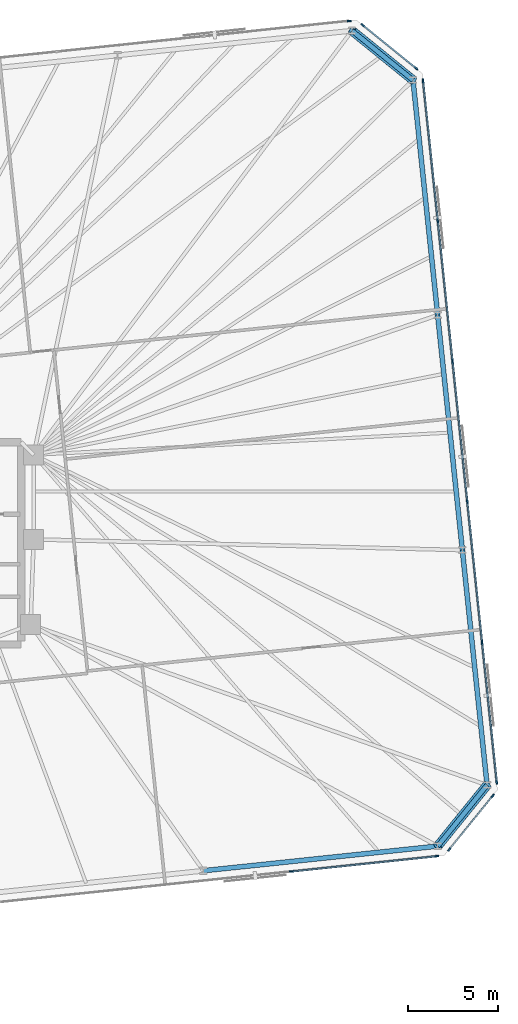
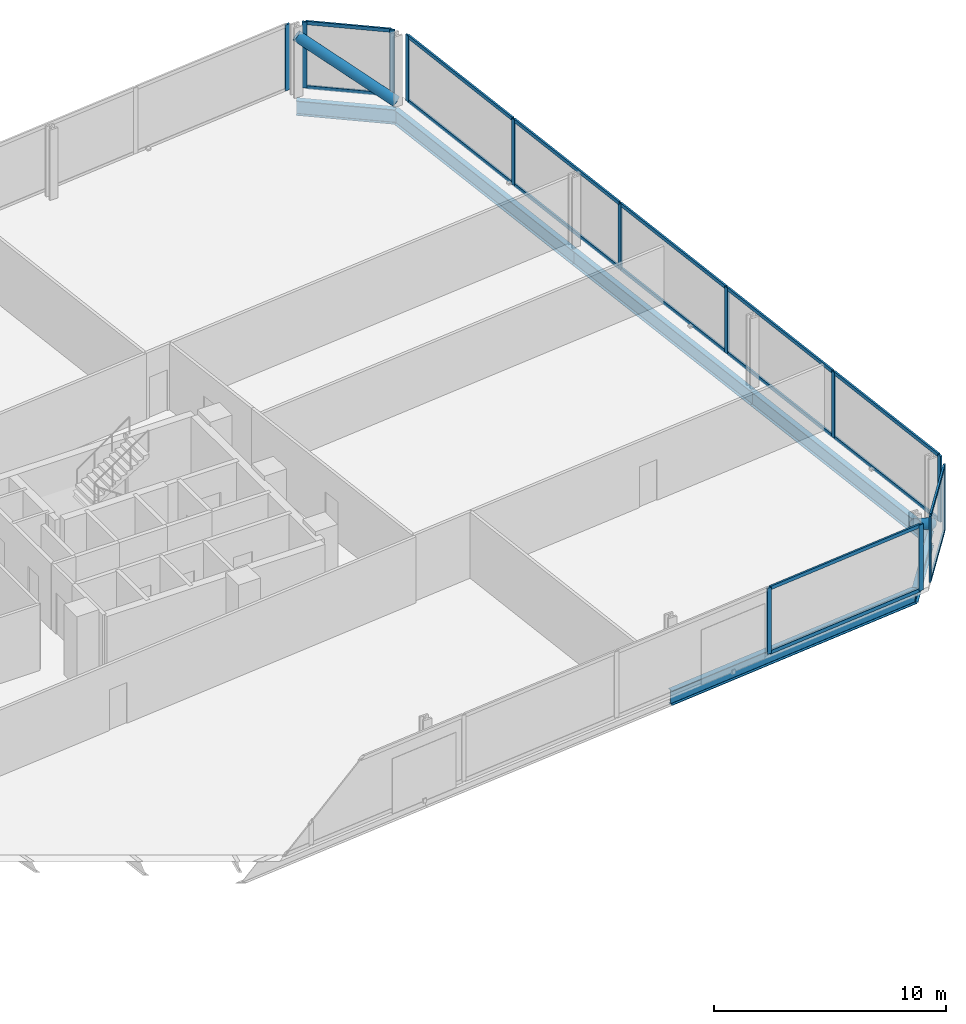
# One storey, part 12 of 18: 31 members, 6 beams, 5 elements without a shape of their own.
"""IFC4 building model written with IfcOpenShell, lengths in metres."""

from ifc_helpers import new_model, si_unit, direction, frame, origin, origin_2d, place, context, subcontext, project, spatial, rectangle, hollow_circle, i_section, extrude, material, material_profile, profile_set, type_object, element, aggregate, save


model = new_model("IFC4")

# Units and contexts
model_context = context("Model", 3, precision=1e-05, world=origin(), true_north=direction((0.0, 1.0)))
body_context = subcontext(model_context, "Body", "Model", "MODEL_VIEW")
ifc_project = project(units=[si_unit("LENGTHUNIT", "METRE"), si_unit("AREAUNIT", "SQUARE_METRE"), si_unit("VOLUMEUNIT", "CUBIC_METRE"), si_unit("PLANEANGLEUNIT", "RADIAN"), si_unit("MASSUNIT", "GRAM", prefix="KILO")], contexts=[model_context])

# Site, building, storey
site_placement = place(None, origin())
site = spatial("IfcSite", under=ifc_project, at=site_placement, CompositionType="ELEMENT")
building_placement = place(site_placement, origin())
building = spatial("IfcBuilding", under=site, at=building_placement, Name="Menara Jurai Vektor", CompositionType="ELEMENT")
storey_placement = place(building_placement, frame((0.0, 0.0, 91.10009765625)))
storey = spatial("IfcBuildingStorey", under=building, at=storey_placement, Name="L22", CompositionType="ELEMENT", Elevation=91.10009765625)

# Curtain wall, members
ifc_material_1 = material(Name="Anodised Pale Aluminium & Low-E Double Glazing", Category="aluminium")
curtain_wall_type = type_object("IfcCurtainWallType", Name="CW-BLK2", PredefinedType="NOTDEFINED", material=ifc_material_1)
curtain_wall_1_placement = place(storey_placement, origin())
curtain_wall_1 = element("IfcCurtainWall", 1, at=curtain_wall_1_placement, inside=storey, type_object=curtain_wall_type, Name="Unitised Curtain Wall L22 F01", PredefinedType="NOTDEFINED")
ifc_material_2 = material(Name="Anodised Pale Aluminium Mullion", Category="aluminium")
ifc_material_profile_1 = material_profile(ifc_material_2, rectangle(XDim=0.090087890625, YDim=0.219970703125, at=origin_2d()), Name="ALU MUL 90x220")
ifc_profile_set_1 = profile_set([ifc_material_profile_1], Name="Anodised Pale Aluminium Mullion")
member_type_1 = type_object("IfcMemberType", Name="CW-BLK2-MUL", PredefinedType="MULLION", material=ifc_profile_set_1)
member_1_placement = place(storey_placement, frame((29.52392578125, -18.169189453125, 0.0), z_axis=(0.0, 0.0, 1.0), x_axis=(-0.104528634935, 0.994521877325, 0.0)))
member_1 = element("IfcMember", 2, at=member_1_placement, type_object=member_type_1, Name="CW-02 mullion 8", PredefinedType="MULLION", context=body_context, shape_type="SweptSolid", body=[
    extrude(rectangle(XDim=0.090087890625, YDim=0.219970703125, at=origin_2d()), origin(), (0.0, 0.0, 1.0), 3.474853515625),
])
member_2_placement = place(storey_placement, frame((37.5771484375, -17.32275390625, 0.0), z_axis=(0.0, 0.0, 1.0), x_axis=(-0.104528634935, 0.994521877325, 0.0)))
member_2 = element("IfcMember", 3, at=member_2_placement, type_object=member_type_1, Name="CW-02 mullion 9", PredefinedType="MULLION", context=body_context, shape_type="SweptSolid", body=[
    extrude(rectangle(XDim=0.090087890625, YDim=0.219970703125, at=origin_2d()), origin(), (0.0, 0.0, 1.0), 3.474853515625),
])

curtain_wall_2_placement = place(storey_placement, origin())
curtain_wall_2 = element("IfcCurtainWall", 4, at=curtain_wall_2_placement, inside=storey, type_object=curtain_wall_type, Name="Unitised Curtain Wall L22 F02", PredefinedType="NOTDEFINED")
member_3_placement = place(storey_placement, frame((38.267333984375, -16.9482421875, 0.0), z_axis=(0.0, 0.0, 1.0), x_axis=(-0.777129222223, 0.62934106172, 0.0)))
member_3 = element("IfcMember", 5, at=member_3_placement, type_object=member_type_1, Name="CW-02 mullion 1", PredefinedType="MULLION", context=body_context, shape_type="SweptSolid", body=[
    extrude(rectangle(XDim=0.090087890625, YDim=0.219970703125, at=origin_2d()), origin(), (0.0, 0.0, 1.0), 3.474853515625),
])
member_4_placement = place(storey_placement, frame((40.66943359375, -13.98193359375, 0.0), z_axis=(0.0, 0.0, 1.0), x_axis=(-0.777129222223, 0.62934106172, 0.0)))
member_4 = element("IfcMember", 6, at=member_4_placement, type_object=member_type_1, Name="CW-02 mullion 2", PredefinedType="MULLION", context=body_context, shape_type="SweptSolid", body=[
    extrude(rectangle(XDim=0.090087890625, YDim=0.219970703125, at=origin_2d()), origin(), (0.0, 0.0, 1.0), 3.474853515625),
])

curtain_wall_3_placement = place(storey_placement, origin())
curtain_wall_3 = element("IfcCurtainWall", 7, at=curtain_wall_3_placement, inside=storey, type_object=curtain_wall_type, Name="Unitised Curtain Wall L22 F03", PredefinedType="NOTDEFINED")
member_5_placement = place(storey_placement, frame((40.892333984375, -13.22900390625, 0.0), z_axis=(0.0, 0.0, 1.0), x_axis=(-0.99452177832, -0.104529576902, 0.0)))
member_5 = element("IfcMember", 8, at=member_5_placement, type_object=member_type_1, Name="CW-02 mullion 1", PredefinedType="MULLION", context=body_context, shape_type="SweptSolid", body=[
    extrude(rectangle(XDim=0.090087890625, YDim=0.219970703125, at=origin_2d()), origin(), (0.0, 0.0, 1.0), 3.474853515625),
])
member_6_placement = place(storey_placement, frame((40.078857421875, -5.488525390625, 0.0), z_axis=(0.0, 0.0, 1.0), x_axis=(-0.99452177832, -0.104529576902, 0.0)))
member_6 = element("IfcMember", 9, at=member_6_placement, type_object=member_type_1, Name="CW-02 mullion 2", PredefinedType="MULLION", context=body_context, shape_type="SweptSolid", body=[
    extrude(rectangle(XDim=0.090087890625, YDim=0.219970703125, at=origin_2d()), origin(), (0.0, 0.0, 1.0), 3.474853515625),
])
member_7_placement = place(storey_placement, frame((39.260498046875, 2.296630859375, 0.0), z_axis=(0.0, 0.0, 1.0), x_axis=(-0.99452177832, -0.104529576902, 0.0)))
member_7 = element("IfcMember", 10, at=member_7_placement, type_object=member_type_1, Name="CW-02 mullion 3", PredefinedType="MULLION", context=body_context, shape_type="SweptSolid", body=[
    extrude(rectangle(XDim=0.090087890625, YDim=0.219970703125, at=origin_2d()), origin(), (0.0, 0.0, 1.0), 3.474853515625),
])
member_8_placement = place(storey_placement, frame((38.4423828125, 10.081787109375, 0.0), z_axis=(0.0, 0.0, 1.0), x_axis=(-0.99452177832, -0.104529576902, 0.0)))
member_8 = element("IfcMember", 11, at=member_8_placement, type_object=member_type_1, Name="CW-02 mullion 4", PredefinedType="MULLION", context=body_context, shape_type="SweptSolid", body=[
    extrude(rectangle(XDim=0.090087890625, YDim=0.219970703125, at=origin_2d()), origin(), (0.0, 0.0, 1.0), 3.474853515625),
])
member_9_placement = place(storey_placement, frame((37.6240234375, 17.866943359375, 0.0), z_axis=(0.0, 0.0, 1.0), x_axis=(-0.99452177832, -0.104529576902, 0.0)))
member_9 = element("IfcMember", 12, at=member_9_placement, type_object=member_type_1, Name="CW-02 mullion 5", PredefinedType="MULLION", context=body_context, shape_type="SweptSolid", body=[
    extrude(rectangle(XDim=0.090087890625, YDim=0.219970703125, at=origin_2d()), origin(), (0.0, 0.0, 1.0), 3.474853515625),
])
member_10_placement = place(storey_placement, frame((36.810546875, 25.607177734375, 0.0), z_axis=(0.0, 0.0, 1.0), x_axis=(-0.99452177832, -0.104529576902, 0.0)))
member_10 = element("IfcMember", 13, at=member_10_placement, type_object=member_type_1, Name="CW-02 mullion 6", PredefinedType="MULLION", context=body_context, shape_type="SweptSolid", body=[
    extrude(rectangle(XDim=0.090087890625, YDim=0.219970703125, at=origin_2d()), origin(), (0.0, 0.0, 1.0), 3.474853515625),
])

curtain_wall_4_placement = place(storey_placement, origin())
curtain_wall_4 = element("IfcCurtainWall", 14, at=curtain_wall_4_placement, inside=storey, type_object=curtain_wall_type, Name="Unitised Curtain Wall L22 F04", PredefinedType="NOTDEFINED")
member_11_placement = place(storey_placement, frame((36.435791015625, 26.29736328125, 0.0), z_axis=(0.0, 0.0, 1.0), x_axis=(-0.629313085353, -0.777151877437, 0.0)))
member_11 = element("IfcMember", 15, at=member_11_placement, type_object=member_type_1, Name="CW-02 mullion 1", PredefinedType="MULLION", context=body_context, shape_type="SweptSolid", body=[
    extrude(rectangle(XDim=0.090087890625, YDim=0.219970703125, at=origin_2d()), origin(), (0.0, 0.0, 1.0), 3.474853515625),
])
member_12_placement = place(storey_placement, frame((33.469482421875, 28.699462890625, 0.0), z_axis=(0.0, 0.0, 1.0), x_axis=(-0.629313085353, -0.777151877437, 0.0)))
member_12 = element("IfcMember", 16, at=member_12_placement, type_object=member_type_1, Name="CW-02 mullion 2", PredefinedType="MULLION", context=body_context, shape_type="SweptSolid", body=[
    extrude(rectangle(XDim=0.090087890625, YDim=0.219970703125, at=origin_2d()), origin(), (0.0, 0.0, 1.0), 3.474853515625),
])

# Curtain wall, member
curtain_wall_5_placement = place(storey_placement, origin())
curtain_wall_5 = element("IfcCurtainWall", 17, at=curtain_wall_5_placement, inside=storey, type_object=curtain_wall_type, Name="Unitised Curtain Wall L22 F05", PredefinedType="NOTDEFINED")
member_13_placement = place(storey_placement, frame((32.716552734375, 28.92236328125, 0.0), z_axis=(0.0, 0.0, 1.0), x_axis=(0.104528634935, -0.994521877325, 0.0)))
member_13 = element("IfcMember", 18, at=member_13_placement, type_object=member_type_1, Name="CW-02 mullion 1", PredefinedType="MULLION", context=body_context, shape_type="SweptSolid", body=[
    extrude(rectangle(XDim=0.090087890625, YDim=0.219970703125, at=origin_2d()), origin(), (0.0, 0.0, 1.0), 3.474853515625),
])
aggregate(curtain_wall_5, [member_13])

# Member
ifc_material_3 = material(Name="Anodised Pale Aluminium Transom", Category="aluminium")
ifc_material_profile_2 = material_profile(ifc_material_3, rectangle(XDim=0.090087890625, YDim=0.18505859375, at=origin_2d()), Name="ALU TRN 90x185")
ifc_profile_set_2 = profile_set([ifc_material_profile_2], Name="Anodised Pale Aluminium Transom")
member_type_2 = type_object("IfcMemberType", Name="CW-BLK2-TRN", PredefinedType="USERDEFINED", material=ifc_profile_set_2)
member_14_placement = place(storey_placement, frame((29.56884765625, -18.16455078125, 0.044921875), z_axis=(0.994519977808, 0.104546706027, 0.0), x_axis=(-0.104546706027, 0.994519977808, 0.0)))
member_14 = element("IfcMember", 19, at=member_14_placement, type_object=member_type_2, Name="CW-02 transom 8.1", ObjectType="TRANSOM", PredefinedType="USERDEFINED", context=body_context, shape_type="SweptSolid", body=[
    extrude(rectangle(XDim=0.090087890625, YDim=0.18505859375, at=origin_2d()), origin(), (0.0, 0.0, 1.0), 8.007568359375),
])

member_15_placement = place(storey_placement, frame((29.56884765625, -18.16455078125, 3.429931640625), z_axis=(0.994519977808, 0.104546706027, 0.0), x_axis=(-0.104546706027, 0.994519977808, 0.0)))
member_15 = element("IfcMember", 20, at=member_15_placement, type_object=member_type_2, Name="CW-02 transom 8.2", ObjectType="TRANSOM", PredefinedType="USERDEFINED", context=body_context, shape_type="SweptSolid", body=[
    extrude(rectangle(XDim=0.090087890625, YDim=0.18505859375, at=origin_2d()), origin(), (0.0, 0.0, 1.0), 8.007568359375),
])

aggregate(curtain_wall_1, [member_1, member_2, member_14, member_15])

member_16_placement = place(storey_placement, frame((38.295654296875, -16.9130859375, 0.044921875), z_axis=(0.6293414396, 0.777128916205, 0.0), x_axis=(-0.777128916205, 0.6293414396, 0.0)))
member_16 = element("IfcMember", 21, at=member_16_placement, type_object=member_type_2, Name="CW-02 transom 1.1", ObjectType="TRANSOM", PredefinedType="USERDEFINED", context=body_context, shape_type="SweptSolid", body=[
    extrude(rectangle(XDim=0.090087890625, YDim=0.18505859375, at=origin_2d()), origin(), (0.0, 0.0, 1.0), 3.726806640625),
])

member_17_placement = place(storey_placement, frame((38.295654296875, -16.9130859375, 3.429931640625), z_axis=(0.6293414396, 0.777128916205, 0.0), x_axis=(-0.777128916205, 0.6293414396, 0.0)))
member_17 = element("IfcMember", 22, at=member_17_placement, type_object=member_type_2, Name="CW-02 transom 1.2", ObjectType="TRANSOM", PredefinedType="USERDEFINED", context=body_context, shape_type="SweptSolid", body=[
    extrude(rectangle(XDim=0.090087890625, YDim=0.18505859375, at=origin_2d()), origin(), (0.0, 0.0, 1.0), 3.726806640625),
])

aggregate(curtain_wall_2, [member_3, member_4, member_16, member_17])

member_18_placement = place(storey_placement, frame((40.8876953125, -13.18408203125, 0.044921875), z_axis=(-0.104536105602, 0.994521092097, 0.0), x_axis=(-0.994521092097, -0.104536105602, 0.0)))
member_18 = element("IfcMember", 23, at=member_18_placement, type_object=member_type_2, Name="CW-02 transom 1.1", ObjectType="TRANSOM", PredefinedType="USERDEFINED", context=body_context, shape_type="SweptSolid", body=[
    extrude(rectangle(XDim=0.090087890625, YDim=0.18505859375, at=origin_2d()), origin(), (0.0, 0.0, 1.0), 7.693115234375),
])

member_19_placement = place(storey_placement, frame((40.8876953125, -13.18408203125, 3.429931640625), z_axis=(-0.104536105602, 0.994521092097, 0.0), x_axis=(-0.994521092097, -0.104536105602, 0.0)))
member_19 = element("IfcMember", 24, at=member_19_placement, type_object=member_type_2, Name="CW-02 transom 1.2", ObjectType="TRANSOM", PredefinedType="USERDEFINED", context=body_context, shape_type="SweptSolid", body=[
    extrude(rectangle(XDim=0.090087890625, YDim=0.18505859375, at=origin_2d()), origin(), (0.0, 0.0, 1.0), 7.693115234375),
])

member_20_placement = place(storey_placement, frame((40.07421875, -5.44384765625, 0.044921875), z_axis=(-0.104528756613, 0.994521864536, 0.0), x_axis=(-0.994521864536, -0.104528756613, 0.0)))
member_20 = element("IfcMember", 25, at=member_20_placement, type_object=member_type_2, Name="CW-02 transom 2.1", ObjectType="TRANSOM", PredefinedType="USERDEFINED", context=body_context, shape_type="SweptSolid", body=[
    extrude(rectangle(XDim=0.090087890625, YDim=0.18505859375, at=origin_2d()), origin(), (0.0, 0.0, 1.0), 7.738037109375),
])

member_21_placement = place(storey_placement, frame((40.07421875, -5.44384765625, 3.429931640625), z_axis=(-0.104528756613, 0.994521864536, 0.0), x_axis=(-0.994521864536, -0.104528756613, 0.0)))
member_21 = element("IfcMember", 26, at=member_21_placement, type_object=member_type_2, Name="CW-02 transom 2.2", ObjectType="TRANSOM", PredefinedType="USERDEFINED", context=body_context, shape_type="SweptSolid", body=[
    extrude(rectangle(XDim=0.090087890625, YDim=0.18505859375, at=origin_2d()), origin(), (0.0, 0.0, 1.0), 7.738037109375),
])

member_22_placement = place(storey_placement, frame((39.255859375, 2.34130859375, 0.044921875), z_axis=(-0.104528756613, 0.994521864536, 0.0), x_axis=(-0.994521864536, -0.104528756613, 0.0)))
member_22 = element("IfcMember", 27, at=member_22_placement, type_object=member_type_2, Name="CW-02 transom 3.1", ObjectType="TRANSOM", PredefinedType="USERDEFINED", context=body_context, shape_type="SweptSolid", body=[
    extrude(rectangle(XDim=0.090087890625, YDim=0.18505859375, at=origin_2d()), origin(), (0.0, 0.0, 1.0), 7.738037109375),
])

member_23_placement = place(storey_placement, frame((39.255859375, 2.34130859375, 3.429931640625), z_axis=(-0.104528756613, 0.994521864536, 0.0), x_axis=(-0.994521864536, -0.104528756613, 0.0)))
member_23 = element("IfcMember", 28, at=member_23_placement, type_object=member_type_2, Name="CW-02 transom 3.2", ObjectType="TRANSOM", PredefinedType="USERDEFINED", context=body_context, shape_type="SweptSolid", body=[
    extrude(rectangle(XDim=0.090087890625, YDim=0.18505859375, at=origin_2d()), origin(), (0.0, 0.0, 1.0), 7.738037109375),
])

member_24_placement = place(storey_placement, frame((38.4375, 10.12646484375, 0.044921875), z_axis=(-0.104528756613, 0.994521864536, 0.0), x_axis=(-0.994521864536, -0.104528756613, 0.0)))
member_24 = element("IfcMember", 29, at=member_24_placement, type_object=member_type_2, Name="CW-02 transom 4.1", ObjectType="TRANSOM", PredefinedType="USERDEFINED", context=body_context, shape_type="SweptSolid", body=[
    extrude(rectangle(XDim=0.090087890625, YDim=0.18505859375, at=origin_2d()), origin(), (0.0, 0.0, 1.0), 7.738037109375),
])

member_25_placement = place(storey_placement, frame((38.4375, 10.12646484375, 3.429931640625), z_axis=(-0.104528756613, 0.994521864536, 0.0), x_axis=(-0.994521864536, -0.104528756613, 0.0)))
member_25 = element("IfcMember", 30, at=member_25_placement, type_object=member_type_2, Name="CW-02 transom 4.2", ObjectType="TRANSOM", PredefinedType="USERDEFINED", context=body_context, shape_type="SweptSolid", body=[
    extrude(rectangle(XDim=0.090087890625, YDim=0.18505859375, at=origin_2d()), origin(), (0.0, 0.0, 1.0), 7.738037109375),
])

member_26_placement = place(storey_placement, frame((37.619384765625, 17.91162109375, 0.044921875), z_axis=(-0.104536105602, 0.994521092097, 0.0), x_axis=(-0.994521092097, -0.104536105602, 0.0)))
member_26 = element("IfcMember", 31, at=member_26_placement, type_object=member_type_2, Name="CW-02 transom 5.1", ObjectType="TRANSOM", PredefinedType="USERDEFINED", context=body_context, shape_type="SweptSolid", body=[
    extrude(rectangle(XDim=0.090087890625, YDim=0.18505859375, at=origin_2d()), origin(), (0.0, 0.0, 1.0), 7.693115234375),
])

member_27_placement = place(storey_placement, frame((37.619384765625, 17.91162109375, 3.429931640625), z_axis=(-0.104536105602, 0.994521092097, 0.0), x_axis=(-0.994521092097, -0.104536105602, 0.0)))
member_27 = element("IfcMember", 32, at=member_27_placement, type_object=member_type_2, Name="CW-02 transom 5.2", ObjectType="TRANSOM", PredefinedType="USERDEFINED", context=body_context, shape_type="SweptSolid", body=[
    extrude(rectangle(XDim=0.090087890625, YDim=0.18505859375, at=origin_2d()), origin(), (0.0, 0.0, 1.0), 7.693115234375),
])

aggregate(curtain_wall_3, [member_5, member_6, member_7, member_8, member_9, member_10, member_18, member_19, member_20, member_21, member_22, member_23, member_24, member_25, member_26, member_27])

member_28_placement = place(storey_placement, frame((36.40087890625, 26.32568359375, 0.044921875), z_axis=(-0.77715486027, 0.629309401772, 0.0), x_axis=(-0.629309401772, -0.77715486027, 0.0)))
member_28 = element("IfcMember", 33, at=member_28_placement, type_object=member_type_2, Name="CW-02 transom 1.1", ObjectType="TRANSOM", PredefinedType="USERDEFINED", context=body_context, shape_type="SweptSolid", body=[
    extrude(rectangle(XDim=0.090087890625, YDim=0.18505859375, at=origin_2d()), origin(), (0.0, 0.0, 1.0), 3.72705078125),
])

member_29_placement = place(storey_placement, frame((36.40087890625, 26.32568359375, 3.429931640625), z_axis=(-0.77715486027, 0.629309401772, 0.0), x_axis=(-0.629309401772, -0.77715486027, 0.0)))
member_29 = element("IfcMember", 34, at=member_29_placement, type_object=member_type_2, Name="CW-02 transom 1.2", ObjectType="TRANSOM", PredefinedType="USERDEFINED", context=body_context, shape_type="SweptSolid", body=[
    extrude(rectangle(XDim=0.090087890625, YDim=0.18505859375, at=origin_2d()), origin(), (0.0, 0.0, 1.0), 3.72705078125),
])

aggregate(curtain_wall_4, [member_11, member_12, member_28, member_29])

# Members
ifc_material_4 = material(Name="Steel S460", Category="steel")
ifc_material_profile_3 = material_profile(ifc_material_4, hollow_circle(Radius=0.25390625, WallThickness=0.02001953125, at=origin_2d()), Name="CHS 508x20")
ifc_profile_set_3 = profile_set([ifc_material_profile_3], Name="Steel S460")
member_type_3 = type_object("IfcMemberType", Name="STR-BR-508", PredefinedType="BRACE", material=ifc_profile_set_3)
for number, where, z_axis, x_axis, name in (
    (35, (40.356201171875, -13.388671875, 0.14990234375), (-0.519271719394, -0.641207846359, 0.564986176119), (0.777127086072, -0.629343699494, 0.0), "Exoskeleton Corner Brace L22-1"),
    (36, (36.252685546875, 25.65185546875, 0.14990234375), (-0.641207846359, 0.519271719394, 0.564986176119), (-0.629343699494, -0.777127086072, 0.0), "Exoskeleton Corner Brace L22-2"),
):
    element("IfcMember", number, at=place(storey_placement, frame(where, z_axis=z_axis, x_axis=x_axis)), inside=storey, type_object=member_type_3, Name=name, PredefinedType="BRACE", context=body_context, shape_type="SweptSolid", body=[
        extrude(hollow_circle(Radius=0.25390625, WallThickness=0.02001953125, at=origin_2d()), origin(), (0.0, 0.0, 1.0), 5.265869140625),
    ])

# Beams
ifc_material_profile_4 = material_profile(ifc_material_4, i_section(OverallWidth=0.26806640625, OverallDepth=0.77001953125, WebThickness=0.01611328125, FlangeThickness=0.02490234375, FilletRadius=0.01708984375, at=origin_2d()), Name="UKB 762x267x197")
ifc_profile_set_4 = profile_set([ifc_material_profile_4], Name="Steel S460")
beam_type = type_object("IfcBeamType", Name="STR-SP-762", PredefinedType="SPANDREL", material=ifc_profile_set_4)
beam_1_placement = place(storey_placement, frame((24.64208984375, -18.12939453125, -0.610107421875), z_axis=(0.994521636083, 0.104530930169, 0.0), x_axis=(-0.104530930169, 0.994521636083, 0.0)))
element("IfcBeam", 37, at=beam_1_placement, inside=storey, type_object=beam_type, Name="Exoskeleton Spandrel Beam L22-05", PredefinedType="SPANDREL", context=body_context, shape_type="SweptSolid", body=[
    extrude(i_section(OverallWidth=0.26806640625, OverallDepth=0.77001953125, WebThickness=0.01611328125, FlangeThickness=0.02490234375, FilletRadius=0.01708984375, at=origin_2d()), origin(), (0.0, 0.0, 1.0), 13.05126953125),
])
beam_2_placement = place(storey_placement, frame((37.621826171875, -16.76513671875, -0.610107421875), z_axis=(0.629343699494, 0.777127086072, 0.0), x_axis=(-0.777127086072, 0.629343699494, 0.0)))
element("IfcBeam", 38, at=beam_2_placement, inside=storey, type_object=beam_type, Name="Exoskeleton Spandrel Beam L22-06", PredefinedType="SPANDREL", context=body_context, shape_type="SweptSolid", body=[
    extrude(i_section(OverallWidth=0.26806640625, OverallDepth=0.77001953125, WebThickness=0.01611328125, FlangeThickness=0.02490234375, FilletRadius=0.01708984375, at=origin_2d()), origin(), (0.0, 0.0, 1.0), 4.3447265625),
])
beam_3_placement = place(storey_placement, frame((40.356201171875, -13.388671875, -0.610107421875), z_axis=(-0.104538130097, 0.994520879296, 0.0), x_axis=(-0.994520879296, -0.104538130097, 0.0)))
element("IfcBeam", 39, at=beam_3_placement, inside=storey, type_object=beam_type, Name="Exoskeleton Spandrel Beam L22-07", PredefinedType="SPANDREL", context=body_context, shape_type="SweptSolid", body=[
    extrude(i_section(OverallWidth=0.26806640625, OverallDepth=0.77001953125, WebThickness=0.01611328125, FlangeThickness=0.02490234375, FilletRadius=0.01708984375, at=origin_2d()), origin(), (0.0, 0.0, 1.0), 13.08544921875),
])
beam_4_placement = place(storey_placement, frame((38.98828125, -0.375, -0.610107421875), z_axis=(-0.104521615846, 0.994522615037, 0.0), x_axis=(-0.994522615037, -0.104521615846, 0.0)))
element("IfcBeam", 40, at=beam_4_placement, inside=storey, type_object=beam_type, Name="Exoskeleton Spandrel Beam L22-08", PredefinedType="SPANDREL", context=body_context, shape_type="SweptSolid", body=[
    extrude(i_section(OverallWidth=0.26806640625, OverallDepth=0.77001953125, WebThickness=0.01611328125, FlangeThickness=0.02490234375, FilletRadius=0.01708984375, at=origin_2d()), origin(), (0.0, 0.0, 1.0), 13.085205078125),
])
beam_5_placement = place(storey_placement, frame((37.62060546875, 12.638427734375, -0.610107421875), z_axis=(-0.104538130097, 0.994520879296, 0.0), x_axis=(-0.994520879296, -0.104538130097, 0.0)))
element("IfcBeam", 41, at=beam_5_placement, inside=storey, type_object=beam_type, Name="Exoskeleton Spandrel Beam L22-09", PredefinedType="SPANDREL", context=body_context, shape_type="SweptSolid", body=[
    extrude(i_section(OverallWidth=0.26806640625, OverallDepth=0.77001953125, WebThickness=0.01611328125, FlangeThickness=0.02490234375, FilletRadius=0.01708984375, at=origin_2d()), origin(), (0.0, 0.0, 1.0), 13.08544921875),
])
beam_6_placement = place(storey_placement, frame((36.252685546875, 25.652099609375, -0.610107421875), z_axis=(-0.777154568396, 0.629309762217, 0.0), x_axis=(-0.629309762217, -0.777154568396, 0.0)))
element("IfcBeam", 42, at=beam_6_placement, inside=storey, type_object=beam_type, Name="Exoskeleton Spandrel Beam L22-10", PredefinedType="SPANDREL", context=body_context, shape_type="SweptSolid", body=[
    extrude(i_section(OverallWidth=0.26806640625, OverallDepth=0.77001953125, WebThickness=0.01611328125, FlangeThickness=0.02490234375, FilletRadius=0.01708984375, at=origin_2d()), origin(), (0.0, 0.0, 1.0), 4.3447265625),
])

save(model, "model.ifc")
